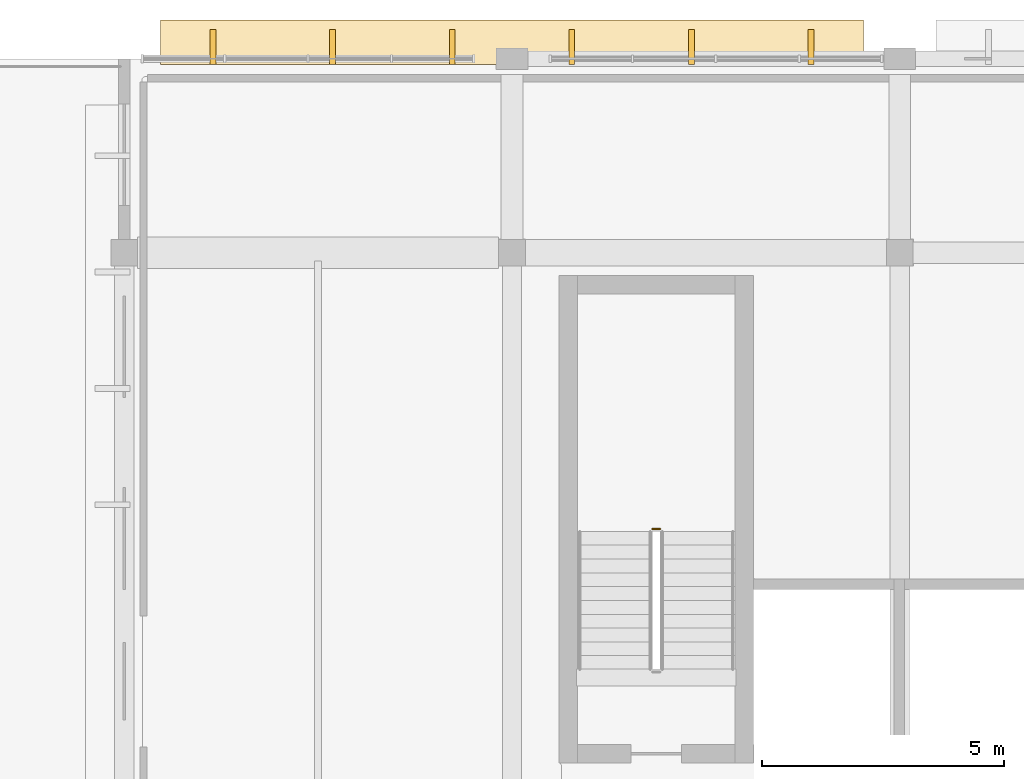
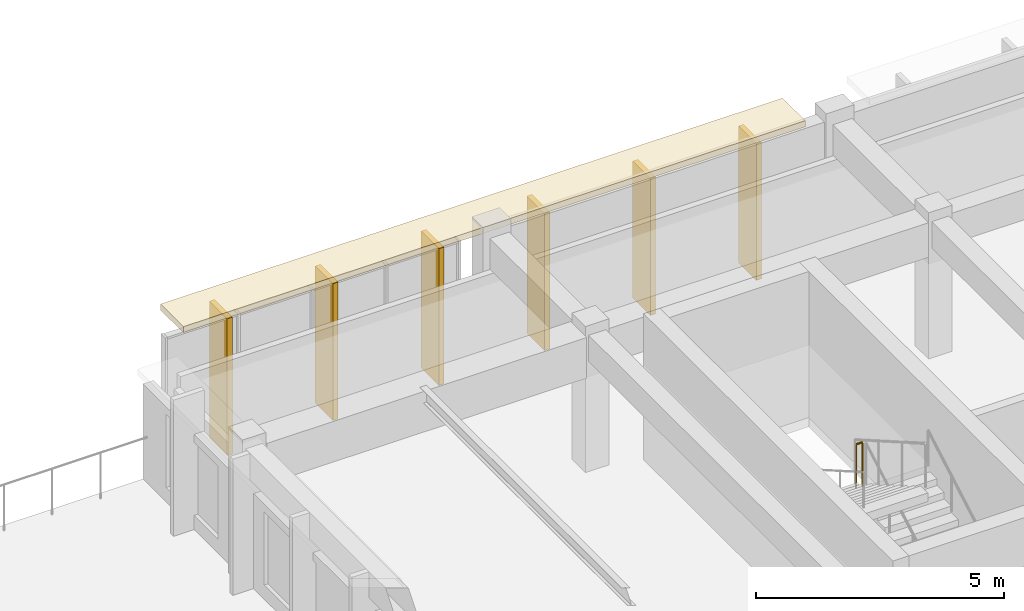
# One storey, part 139 of 155: 7 coverings, 1 railing.
"""IFC4 building model written with IfcOpenShell, lengths in metres."""

from ifc_helpers import new_model, si_unit, direction, frame, origin, origin_2d, place, context, subcontext, project, spatial, rectangle, circle, extrude, material, layer, layer_set, type_object, element, save


model = new_model("IFC4")

# Units and contexts
model_context = context("Model", 3, precision=1e-05, world=origin(), true_north=direction((0.0, 1.0)))
body_context = subcontext(model_context, "Body", "Model", "MODEL_VIEW")
ifc_project = project(units=[si_unit("LENGTHUNIT", "METRE"), si_unit("AREAUNIT", "SQUARE_METRE"), si_unit("VOLUMEUNIT", "CUBIC_METRE"), si_unit("PLANEANGLEUNIT", "RADIAN"), si_unit("MASSUNIT", "GRAM", prefix="KILO")], contexts=[model_context])

# Site, building, storey
site_placement = place(None, origin())
site = spatial("IfcSite", under=ifc_project, at=site_placement, CompositionType="ELEMENT")
building_placement = place(site_placement, origin())
building = spatial("IfcBuilding", under=site, at=building_placement, Name="Larkveld Mobility Hub", CompositionType="ELEMENT")
storey_placement = place(building_placement, frame((0.0, 0.0, 8.39990234375)))
storey = spatial("IfcBuildingStorey", under=building, at=storey_placement, Name="L02", CompositionType="ELEMENT", Elevation=8.39990234375)

# Coverings
ifc_material_1 = material(Name="Precast concrete C50/60", Category="concrete")
ifc_layer_1 = layer(ifc_material_1, 0.14990234375, Name="Precast concrete C50/60", Category="concrete")
ifc_layer_set_1 = layer_set([ifc_layer_1], Name="Precast concrete C50/60")
covering_type_1 = type_object("IfcCoveringType", Name="COV-QSL-H01", PredefinedType="CLADDING", material=ifc_layer_set_1)
covering_placement = place(storey_placement, frame((24.0, 126.340087890625, 3.3701171875), z_axis=(0.0, 0.0, 1.0), x_axis=(-1.0, 0.0, 0.0)))
element("IfcCovering", 1, at=covering_placement, inside=storey, type_object=covering_type_1, Name="Precast Quebra-Sol Horizontal Sunbreaker QSH-111", PredefinedType="CLADDING", context=body_context, shape_type="SweptSolid", body=[
    extrude(rectangle(XDim=14.5, YDim=0.919921875, at=origin_2d()), origin(), (0.0, 0.0, 1.0), 0.14990234375),
])
ifc_layer_2 = layer(ifc_material_1, 0.1201171875, Name="Precast concrete C50/60", Category="concrete")
ifc_layer_set_2 = layer_set([ifc_layer_2], Name="Precast concrete C50/60")
covering_type_2 = type_object("IfcCoveringType", Name="COV-QSL-V01", PredefinedType="CLADDING", material=ifc_layer_set_2)
for number, where, z_axis, x_axis, name in (
    (2, (30.1669921875, 126.239990234375, -0.019287109375), (0.0, 0.0, 1.0), (-1.0, 0.0, 0.0), "Precast Quebra-Sol Vertical Fin QSV-112"),
    (3, (27.699951171875, 126.239990234375, -0.019287109375), (0.0, 0.0, 1.0), (-1.0, 0.0, 0.0), "Precast Quebra-Sol Vertical Fin QSV-113"),
    (4, (25.23291015625, 126.239990234375, -0.019287109375), (0.0, 0.0, 1.0), (-1.0, 0.0, 0.0), "Precast Quebra-Sol Vertical Fin QSV-114"),
    (5, (22.76708984375, 126.239990234375, -0.019287109375), (0.0, 0.0, 1.0), (-1.0, 0.0, 0.0), "Precast Quebra-Sol Vertical Fin QSV-115"),
    (6, (20.300048828125, 126.239990234375, -0.019287109375), (0.0, 0.0, 1.0), (-1.0, 0.0, 0.0), "Precast Quebra-Sol Vertical Fin QSV-116"),
    (7, (17.8330078125, 126.239990234375, -0.019287109375), (0.0, 0.0, 1.0), (-1.0, 0.0, 0.0), "Precast Quebra-Sol Vertical Fin QSV-117"),
):
    element("IfcCovering", number, at=place(storey_placement, frame(where, z_axis=z_axis, x_axis=x_axis)), inside=storey, type_object=covering_type_2, Name=name, PredefinedType="CLADDING", context=body_context, shape_type="SweptSolid", body=[
        extrude(rectangle(XDim=0.1201171875, YDim=0.719970703125, at=origin_2d()), origin(), (0.0, 0.0, 1.0), 3.375),
    ])

# Railing
ifc_material_2 = material(Name="Galvanized Steel S355JR balustrade", Category="steel")
railing_type = type_object("IfcRailingType", Name="RL-GRD-1100", PredefinedType="GUARDRAIL", material=ifc_material_2)
railing_placement = place(storey_placement, frame((27.050048828125, 116.300048828125, 1.800048828125)))
element("IfcRailing", 8, at=railing_placement, inside=storey, type_object=railing_type, Name="L02 ST6 stair guard 2", PredefinedType="GUARDRAIL", context=body_context, shape_type="SweptSolid", body=[
    extrude(circle(Radius=0.02392578125, at=origin_2d()), frame((0.0, 0.0, 1.076171875), z_axis=(-1.0, 0.0, 0.0), x_axis=(0.0, -1.0, 0.0)), (0.0, 0.0, 1.0), 0.150146484375),
    extrude(circle(Radius=0.02099609375, at=origin_2d()), origin(), (0.0, 0.0, 1.0), 1.052001953125),
    extrude(circle(Radius=0.02099609375, at=origin_2d()), frame((-0.150146484375, 0.0, 0.0)), (0.0, 0.0, 1.0), 1.052001953125),
])

save(model, "model.ifc")
